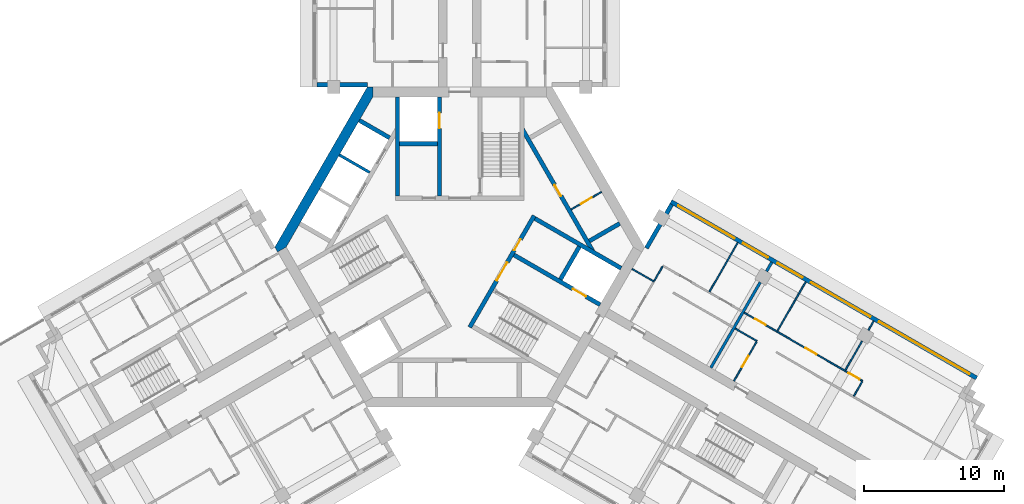
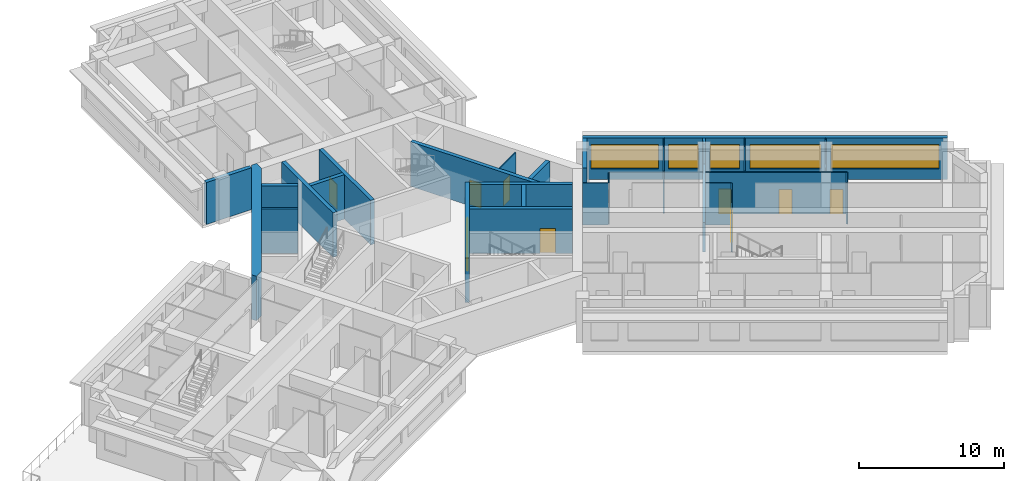
# One storey, part 6 of 11: 28 walls, 10 doors, 5 windows, 15 openings.
"""IFC4 building model written with IfcOpenShell, lengths in metres."""

from ifc_helpers import new_model, si_unit, direction, frame, frame_2d, origin, place, context, subcontext, project, spatial, polyline, rectangle, outline, extrude, material, layer, layer_set, type_object, element, fill, save


model = new_model("IFC4")

# Units and contexts
model_context = context("Model", 3, precision=1e-05, world=origin(), true_north=direction((0.0, 1.0)))
body_context = subcontext(model_context, "Body", "Model", "MODEL_VIEW")
ifc_project = project(units=[si_unit("LENGTHUNIT", "METRE"), si_unit("AREAUNIT", "SQUARE_METRE"), si_unit("VOLUMEUNIT", "CUBIC_METRE"), si_unit("PLANEANGLEUNIT", "RADIAN"), si_unit("MASSUNIT", "GRAM", prefix="KILO")], contexts=[model_context])

# Site, building, storey
site_placement = place(None, origin())
site = spatial("IfcSite", under=ifc_project, at=site_placement, CompositionType="ELEMENT")
building_placement = place(site_placement, origin())
building = spatial("IfcBuilding", under=site, at=building_placement, Name="Impinga Residences", CompositionType="ELEMENT")
storey_placement = place(building_placement, frame((0.0, 0.0, 218.5)))
storey = spatial("IfcBuildingStorey", under=building, at=storey_placement, Name="L54", CompositionType="ELEMENT", Elevation=218.5)

# Wall, opening, door
ifc_material_1 = material(Name="Concrete blockwork", Category="masonry")
ifc_layer_1 = layer(ifc_material_1, 0.10009765625)
ifc_layer_set_1 = layer_set([ifc_layer_1], Name="CP1 core room partition, blockwork 100")
wall_type_1 = type_object("IfcWallType", Name="CP1 core room partition, blockwork 100", PredefinedType="PARTITIONING", material=ifc_layer_set_1)
wall_1_placement = place(storey_placement, frame((7.95361328125, 2.686767578125, 0.0), z_axis=(0.0, 0.0, 1.0), x_axis=(0.866047370643, 0.499961950354, 0.0)))
wall_1 = element("IfcWall", 1, at=wall_1_placement, inside=storey, type_object=wall_type_1, Name="Core room partition, blockwork L54:CORE:mid:ZP1", PredefinedType="PARTITIONING", context=body_context, shape_type="SweptSolid", body=[
    extrude(rectangle(XDim=2.500244140625, YDim=0.10009765625, at=frame_2d((1.25, 0.0))), origin(), (0.0, 0.0, 1.0), 3.530029296875),
])
opening_1_placement = place(wall_1_placement, frame((0.800048828125, 0.0, 0.0)))
opening_1 = element("IfcOpeningElement", 2, at=opening_1_placement, cuts=wall_1, Name="Opening D6", PredefinedType="OPENING", context=body_context, shape_type="SweptSolid", body=[
    extrude(rectangle(XDim=0.89990234375, YDim=2.10009765625, at=frame_2d((0.449951171875, 1.050048828125))), frame((0.0, 0.06005859375, 0.0), z_axis=(0.0, -1.0, 0.0), x_axis=(1.0, 0.0, 0.0)), (0.0, 0.0, 1.0), 0.1201171875),
])
ifc_material_2 = material(Name="Timber door set", Category="wood")
door_type_1 = type_object("IfcDoorType", Name="D6 riser and store door 900x2100", OperationType="SINGLE_SWING_LEFT", PredefinedType="DOOR", material=ifc_material_2)
door_1_placement = place(opening_1_placement, origin())
door_1 = element("IfcDoor", 3, at=door_1_placement, inside=storey, type_object=door_type_1, Name="Linen store door", OperationType="SINGLE_SWING_LEFT", OverallHeight=2.10009765625, OverallWidth=0.89990234375, PredefinedType="DOOR", context=body_context, shape_type="SweptSolid", body=[
    extrude(rectangle(XDim=0.89990234375, YDim=2.10009765625, at=frame_2d((0.449951171875, 1.050048828125))), frame((0.0, 0.02490234375, 0.0), z_axis=(0.0, -1.0, 0.0), x_axis=(1.0, 0.0, 0.0)), (0.0, 0.0, 1.0), 0.050048828125),
])
fill(opening_1, door_1)

# Walls
ifc_material_3 = material(Name="Terracotta rainscreen on blockwork", Category="masonry")
ifc_layer_2 = layer(ifc_material_3, 0.300048828125)
ifc_layer_set_2 = layer_set([ifc_layer_2], Name="EW1 external wall, terracotta rainscreen on blockwork 300")
wall_type_2 = type_object("IfcWallType", Name="EW1 external wall, terracotta rainscreen on blockwork 300", PredefinedType="SOLIDWALL", material=ifc_layer_set_2)
wall_2_placement = place(storey_placement, frame((-6.60009765625, 11.58154296875, 0.0), z_axis=(0.0, 0.0, 1.0), x_axis=(-1.0, 0.0, 0.0)))
element("IfcWall", 4, at=wall_2_placement, inside=storey, type_object=wall_type_2, Name="External wall EW1 L54", PredefinedType="SOLIDWALL", context=body_context, shape_type="SweptSolid", body=[
    extrude(rectangle(XDim=3.599853515625, YDim=0.300048828125, at=frame_2d((1.7998046875, 0.0))), origin(), (0.0, 0.0, 1.0), 3.530029296875),
])
wall_3_placement = place(storey_placement, frame((13.329833984375, -0.074951171875, 0.0), z_axis=(0.0, 0.0, 1.0), x_axis=(0.500012057535, 0.866018442252, 0.0)))
element("IfcWall", 5, at=wall_3_placement, inside=storey, type_object=wall_type_2, Name="External wall EW1 L54", PredefinedType="SOLIDWALL", context=body_context, shape_type="SweptSolid", body=[
    extrude(rectangle(XDim=3.60009765625, YDim=0.300048828125, at=frame_2d((1.800048828125, 0.0))), origin(), (0.0, 0.0, 1.0), 3.530029296875),
])

# Wall, openings, windows
wall_4_placement = place(storey_placement, frame((15.074951171875, 3.24755859375, 0.0), z_axis=(0.0, 0.0, 1.0), x_axis=(0.86602925447, -0.499993330357, 0.0)))
wall_4 = element("IfcWall", 6, at=wall_4_placement, inside=storey, type_object=wall_type_2, Name="External wall EW1 L54", PredefinedType="SOLIDWALL", context=body_context, shape_type="SweptSolid", body=[
    extrude(rectangle(XDim=25.199951171875, YDim=0.300048828125, at=frame_2d((12.60009765625, 0.0))), origin(), (0.0, 0.0, 1.0), 3.530029296875),
])
opening_2_placement = place(wall_4_placement, frame((0.60009765625, 0.0, 0.89990234375)))
opening_2 = element("IfcOpeningElement", 7, at=opening_2_placement, cuts=wall_4, Name="Opening W10", PredefinedType="OPENING", context=body_context, shape_type="SweptSolid", body=[
    extrude(rectangle(XDim=4.64990234375, YDim=2.050048828125, at=frame_2d((2.324951171875, 1.02490234375))), frame((0.0, 0.159912109375, 0.0), z_axis=(0.0, -1.0, 0.0), x_axis=(1.0, 0.0, 0.0)), (0.0, 0.0, 1.0), 0.320068359375),
])
opening_3_placement = place(wall_4_placement, frame((5.949951171875, 0.0, 0.89990234375)))
opening_3 = element("IfcOpeningElement", 8, at=opening_3_placement, cuts=wall_4, Name="Opening W14", PredefinedType="OPENING", context=body_context, shape_type="SweptSolid", body=[
    extrude(rectangle(XDim=2.050048828125, YDim=2.050048828125, at=frame_2d((1.02490234375, 1.02490234375))), frame((0.0, 0.159912109375, 0.0), z_axis=(0.0, -1.0, 0.0), x_axis=(1.0, 0.0, 0.0)), (0.0, 0.0, 1.0), 0.320068359375),
])
opening_4_placement = place(wall_4_placement, frame((8.800048828125, 0.0, 0.89990234375)))
opening_4 = element("IfcOpeningElement", 9, at=opening_4_placement, cuts=wall_4, Name="Opening W14", PredefinedType="OPENING", context=body_context, shape_type="SweptSolid", body=[
    extrude(rectangle(XDim=2.050048828125, YDim=2.050048828125, at=frame_2d((1.02490234375, 1.02490234375))), frame((0.0, 0.159912109375, 0.0), z_axis=(0.0, -1.0, 0.0), x_axis=(1.0, 0.0, 0.0)), (0.0, 0.0, 1.0), 0.320068359375),
])
opening_5_placement = place(wall_4_placement, frame((11.550048828125, 0.0, 0.89990234375)))
opening_5 = element("IfcOpeningElement", 10, at=opening_5_placement, cuts=wall_4, Name="Opening W16", PredefinedType="OPENING", context=body_context, shape_type="SweptSolid", body=[
    extrude(rectangle(XDim=4.89990234375, YDim=2.050048828125, at=frame_2d((2.449951171875, 1.02490234375))), frame((0.0, 0.159912109375, 0.0), z_axis=(0.0, -1.0, 0.0), x_axis=(1.0, 0.0, 0.0)), (0.0, 0.0, 1.0), 0.320068359375),
])
opening_6_placement = place(wall_4_placement, frame((17.14990234375, 0.0, 0.89990234375)))
opening_6 = element("IfcOpeningElement", 11, at=opening_6_placement, cuts=wall_4, Name="Opening W7", PredefinedType="OPENING", context=body_context, shape_type="SweptSolid", body=[
    extrude(rectangle(XDim=7.449951171875, YDim=2.050048828125, at=frame_2d((3.72509765625, 1.02490234375))), frame((0.0, 0.159912109375, 0.0), z_axis=(0.0, -1.0, 0.0), x_axis=(1.0, 0.0, 0.0)), (0.0, 0.0, 1.0), 0.320068359375),
])
ifc_material_4 = material(Name="Aluminium window, clear double glazing", Category="aluminium")
window_type_1 = type_object("IfcWindowType", Name="W10 ribbon window 4650x2050", PartitioningType="SINGLE_PANEL", PredefinedType="WINDOW", material=ifc_material_4)
window_1_placement = place(opening_2_placement, origin())
window_1 = element("IfcWindow", 12, at=window_1_placement, inside=storey, type_object=window_type_1, Name="Window L54", OverallHeight=2.050048828125, OverallWidth=4.64990234375, PartitioningType="SINGLE_PANEL", PredefinedType="WINDOW", context=body_context, shape_type="SweptSolid", body=[
    extrude(rectangle(XDim=4.64990234375, YDim=2.050048828125, at=frame_2d((2.324951171875, 1.02490234375))), frame((0.0, 0.030029296875, 0.0), z_axis=(0.0, -1.0, 0.0), x_axis=(1.0, 0.0, 0.0)), (0.0, 0.0, 1.0), 0.06005859375),
])
fill(opening_2, window_1)
window_type_2 = type_object("IfcWindowType", Name="W14 ribbon window 2050x2050", PartitioningType="SINGLE_PANEL", PredefinedType="WINDOW", material=ifc_material_4)
window_2_placement = place(opening_3_placement, origin())
window_2 = element("IfcWindow", 13, at=window_2_placement, inside=storey, type_object=window_type_2, Name="Window L54", OverallHeight=2.050048828125, OverallWidth=2.050048828125, PartitioningType="SINGLE_PANEL", PredefinedType="WINDOW", context=body_context, shape_type="SweptSolid", body=[
    extrude(rectangle(XDim=2.050048828125, YDim=2.050048828125, at=frame_2d((1.02490234375, 1.02490234375))), frame((0.0, 0.030029296875, 0.0), z_axis=(0.0, -1.0, 0.0), x_axis=(1.0, 0.0, 0.0)), (0.0, 0.0, 1.0), 0.06005859375),
])
fill(opening_3, window_2)
window_3_placement = place(opening_4_placement, origin())
window_3 = element("IfcWindow", 14, at=window_3_placement, inside=storey, type_object=window_type_2, Name="Window L54", OverallHeight=2.050048828125, OverallWidth=2.050048828125, PartitioningType="SINGLE_PANEL", PredefinedType="WINDOW", context=body_context, shape_type="SweptSolid", body=[
    extrude(rectangle(XDim=2.050048828125, YDim=2.050048828125, at=frame_2d((1.02490234375, 1.02490234375))), frame((0.0, 0.030029296875, 0.0), z_axis=(0.0, -1.0, 0.0), x_axis=(1.0, 0.0, 0.0)), (0.0, 0.0, 1.0), 0.06005859375),
])
fill(opening_4, window_3)
window_type_3 = type_object("IfcWindowType", Name="W16 ribbon window 4900x2050", PartitioningType="SINGLE_PANEL", PredefinedType="WINDOW", material=ifc_material_4)
window_4_placement = place(opening_5_placement, origin())
window_4 = element("IfcWindow", 15, at=window_4_placement, inside=storey, type_object=window_type_3, Name="Window L54", OverallHeight=2.050048828125, OverallWidth=4.89990234375, PartitioningType="SINGLE_PANEL", PredefinedType="WINDOW", context=body_context, shape_type="SweptSolid", body=[
    extrude(rectangle(XDim=4.89990234375, YDim=2.050048828125, at=frame_2d((2.449951171875, 1.02490234375))), frame((0.0, 0.030029296875, 0.0), z_axis=(0.0, -1.0, 0.0), x_axis=(1.0, 0.0, 0.0)), (0.0, 0.0, 1.0), 0.06005859375),
])
fill(opening_5, window_4)
window_type_4 = type_object("IfcWindowType", Name="W7 ribbon window 7450x2050", PartitioningType="SINGLE_PANEL", PredefinedType="WINDOW", material=ifc_material_4)
window_5_placement = place(opening_6_placement, origin())
window_5 = element("IfcWindow", 16, at=window_5_placement, inside=storey, type_object=window_type_4, Name="Window L54", OverallHeight=2.050048828125, OverallWidth=7.449951171875, PartitioningType="SINGLE_PANEL", PredefinedType="WINDOW", context=body_context, shape_type="SweptSolid", body=[
    extrude(rectangle(XDim=7.449951171875, YDim=2.050048828125, at=frame_2d((3.72509765625, 1.02490234375))), frame((0.0, 0.030029296875, 0.0), z_axis=(0.0, -1.0, 0.0), x_axis=(1.0, 0.0, 0.0)), (0.0, 0.0, 1.0), 0.06005859375),
])
fill(opening_6, window_5)

# Walls
ifc_material_5 = material(Name="Gypsum board on steel studs", Category="steel")
ifc_layer_3 = layer(ifc_material_5, 0.10009765625)
ifc_layer_set_3 = layer_set([ifc_layer_3], Name="Gypsum board on steel studs")
wall_type_3 = type_object("IfcWallType", Name="IP1 partition 100", PredefinedType="PARTITIONING", material=ifc_layer_set_3)
wall_5_placement = place(storey_placement, frame((12.300048828125, -1.558837890625, 0.0), z_axis=(0.0, 0.0, 1.0), x_axis=(0.866047807691, -0.499961193289, 0.0)))
element("IfcWall", 17, at=wall_5_placement, inside=storey, type_object=wall_type_3, Name="Partition L54-EA1:DIV0", PredefinedType="PARTITIONING", context=body_context, shape_type="SweptSolid", body=[
    extrude(rectangle(XDim=1.800048828125, YDim=0.10009765625, at=frame_2d((0.89990234375, 0.0))), origin(), (0.0, 0.0, 1.0), 3.530029296875),
])
wall_6_placement = place(storey_placement, frame((13.8837890625, -2.41552734375, 0.0), z_axis=(0.0, 0.0, 1.0), x_axis=(0.500033551112, 0.866006032174, 0.0)))
element("IfcWall", 18, at=wall_6_placement, inside=storey, type_object=wall_type_3, Name="Partition L54-EA1:SE0", PredefinedType="PARTITIONING", context=body_context, shape_type="SweptSolid", body=[
    extrude(rectangle(XDim=1.2001953125, YDim=0.10009765625, at=frame_2d((0.60009765625, 0.0))), origin(), (0.0, 0.0, 1.0), 3.530029296875),
])
wall_7_placement = place(storey_placement, frame((17.82470703125, -3.189697265625, 0.0), z_axis=(0.0, 0.0, 1.0), x_axis=(0.500035537042, 0.866004885491, 0.0)))
element("IfcWall", 19, at=wall_7_placement, inside=storey, type_object=wall_type_3, Name="Partition L54-EA1:OB1", PredefinedType="PARTITIONING", context=body_context, shape_type="SweptSolid", body=[
    extrude(rectangle(XDim=4.050048828125, YDim=0.10009765625, at=frame_2d((2.02490234375, 0.0))), origin(), (0.0, 0.0, 1.0), 3.530029296875),
])
wall_8_placement = place(storey_placement, frame((19.6611328125, -5.808837890625, 0.0), z_axis=(0.0, 0.0, 1.0), x_axis=(0.866047807691, -0.499961193289, 0.0)))
element("IfcWall", 20, at=wall_8_placement, inside=storey, type_object=wall_type_3, Name="Partition L54-EA2:DIV0", PredefinedType="PARTITIONING", context=body_context, shape_type="SweptSolid", body=[
    extrude(rectangle(XDim=1.800048828125, YDim=0.10009765625, at=frame_2d((0.89990234375, 0.0))), origin(), (0.0, 0.0, 1.0), 3.530029296875),
])

# Wall, openings, doors
wall_9_placement = place(storey_placement, frame((20.311279296875, -4.68310546875, 0.0), z_axis=(0.0, 0.0, 1.0), x_axis=(0.866021707014, -0.500006402939, 0.0)))
wall_9 = element("IfcWall", 21, at=wall_9_placement, inside=storey, type_object=wall_type_3, Name="Partition L54-EA2:STRIP", PredefinedType="PARTITIONING", context=body_context, shape_type="SweptSolid", body=[
    extrude(rectangle(XDim=9.749755859375, YDim=0.10009765625, at=frame_2d((4.875, 0.0))), origin(), (0.0, 0.0, 1.0), 3.530029296875),
])
opening_7_placement = place(wall_9_placement, frame((0.875, 0.0, 0.0)))
opening_7 = element("IfcOpeningElement", 22, at=opening_7_placement, cuts=wall_9, Name="Opening D2", PredefinedType="OPENING", context=body_context, shape_type="SweptSolid", body=[
    extrude(rectangle(XDim=0.89990234375, YDim=2.10009765625, at=frame_2d((0.449951171875, 1.050048828125))), frame((0.0, 0.06005859375, 0.0), z_axis=(0.0, -1.0, 0.0), x_axis=(1.0, 0.0, 0.0)), (0.0, 0.0, 1.0), 0.1201171875),
])
opening_8_placement = place(wall_9_placement, frame((5.050048828125, 0.0, 0.0)))
opening_8 = element("IfcOpeningElement", 23, at=opening_8_placement, cuts=wall_9, Name="Opening D2", PredefinedType="OPENING", context=body_context, shape_type="SweptSolid", body=[
    extrude(rectangle(XDim=0.89990234375, YDim=2.10009765625, at=frame_2d((0.449951171875, 1.050048828125))), frame((0.0, 0.06005859375, 0.0), z_axis=(0.0, -1.0, 0.0), x_axis=(1.0, 0.0, 0.0)), (0.0, 0.0, 1.0), 0.1201171875),
])
opening_9_placement = place(wall_9_placement, frame((8.60009765625, 0.0, 0.0)))
opening_9 = element("IfcOpeningElement", 24, at=opening_9_placement, cuts=wall_9, Name="Opening D2", PredefinedType="OPENING", context=body_context, shape_type="SweptSolid", body=[
    extrude(rectangle(XDim=0.89990234375, YDim=2.10009765625, at=frame_2d((0.449951171875, 1.050048828125))), frame((0.0, 0.06005859375, 0.0), z_axis=(0.0, -1.0, 0.0), x_axis=(1.0, 0.0, 0.0)), (0.0, 0.0, 1.0), 0.1201171875),
])
door_type_2 = type_object("IfcDoorType", Name="D2 internal door 900x2100", OperationType="SINGLE_SWING_LEFT", PredefinedType="DOOR", material=ifc_material_2)
door_2_placement = place(opening_7_placement, origin())
door_2 = element("IfcDoor", 25, at=door_2_placement, inside=storey, type_object=door_type_2, Name="Apartment L54-EA2 room door", OperationType="SINGLE_SWING_LEFT", OverallHeight=2.10009765625, OverallWidth=0.89990234375, PredefinedType="DOOR", context=body_context, shape_type="SweptSolid", body=[
    extrude(rectangle(XDim=0.89990234375, YDim=2.10009765625, at=frame_2d((0.449951171875, 1.050048828125))), frame((0.0, 0.02490234375, 0.0), z_axis=(0.0, -1.0, 0.0), x_axis=(1.0, 0.0, 0.0)), (0.0, 0.0, 1.0), 0.050048828125),
])
fill(opening_7, door_2)
door_3_placement = place(opening_8_placement, origin())
door_3 = element("IfcDoor", 26, at=door_3_placement, inside=storey, type_object=door_type_2, Name="Apartment L54-EA2 room door", OperationType="SINGLE_SWING_RIGHT", OverallHeight=2.10009765625, OverallWidth=0.89990234375, PredefinedType="DOOR", context=body_context, shape_type="SweptSolid", body=[
    extrude(rectangle(XDim=0.89990234375, YDim=2.10009765625, at=frame_2d((0.449951171875, 1.050048828125))), frame((0.0, 0.02490234375, 0.0), z_axis=(0.0, -1.0, 0.0), x_axis=(1.0, 0.0, 0.0)), (0.0, 0.0, 1.0), 0.050048828125),
])
fill(opening_8, door_3)
door_4_placement = place(opening_9_placement, origin())
door_4 = element("IfcDoor", 27, at=door_4_placement, inside=storey, type_object=door_type_2, Name="Apartment L54-EA2 room door", OperationType="SINGLE_SWING_RIGHT", OverallHeight=2.10009765625, OverallWidth=0.89990234375, PredefinedType="DOOR", context=body_context, shape_type="SweptSolid", body=[
    extrude(rectangle(XDim=0.89990234375, YDim=2.10009765625, at=frame_2d((0.449951171875, 1.050048828125))), frame((0.0, 0.02490234375, 0.0), z_axis=(0.0, -1.0, 0.0), x_axis=(1.0, 0.0, 0.0)), (0.0, 0.0, 1.0), 0.050048828125),
])
fill(opening_9, door_4)

# Wall
wall_10_placement = place(storey_placement, frame((28.1298828125, -10.640625, 0.0), z_axis=(0.0, 0.0, 1.0), x_axis=(0.500033551112, 0.866006032174, 0.0)))
element("IfcWall", 28, at=wall_10_placement, inside=storey, type_object=wall_type_3, Name="Partition L54-EA2:SE1", PredefinedType="PARTITIONING", context=body_context, shape_type="SweptSolid", body=[
    extrude(rectangle(XDim=1.2001953125, YDim=0.10009765625, at=frame_2d((0.60009765625, 0.0))), origin(), (0.0, 0.0, 1.0), 3.530029296875),
])

# Wall, opening, door
wall_11_placement = place(storey_placement, frame((19.570068359375, -9.566650390625, 0.0), z_axis=(0.0, 0.0, 1.0), x_axis=(0.500017246033, 0.866015446554, 0.0)))
wall_11 = element("IfcWall", 29, at=wall_11_placement, inside=storey, type_object=wall_type_3, Name="Partition L54-EA2:IB1", PredefinedType="PARTITIONING", context=body_context, shape_type="SweptSolid", body=[
    extrude(rectangle(XDim=3.25, YDim=0.10009765625, at=frame_2d((1.625, 0.0))), origin(), (0.0, 0.0, 1.0), 3.530029296875),
])
opening_10_placement = place(wall_11_placement, frame((1.175048828125, 0.0, 0.0)))
opening_10 = element("IfcOpeningElement", 30, at=opening_10_placement, cuts=wall_11, Name="Opening D2", PredefinedType="OPENING", context=body_context, shape_type="SweptSolid", body=[
    extrude(rectangle(XDim=0.89990234375, YDim=2.10009765625, at=frame_2d((0.449951171875, 1.050048828125))), frame((0.0, 0.06005859375, 0.0), z_axis=(0.0, -1.0, 0.0), x_axis=(1.0, 0.0, 0.0)), (0.0, 0.0, 1.0), 0.1201171875),
])
door_5_placement = place(opening_10_placement, origin())
door_5 = element("IfcDoor", 31, at=door_5_placement, inside=storey, type_object=door_type_2, Name="Apartment L54-EA2 bathroom door", OperationType="SINGLE_SWING_LEFT", OverallHeight=2.10009765625, OverallWidth=0.89990234375, PredefinedType="DOOR", context=body_context, shape_type="SweptSolid", body=[
    extrude(rectangle(XDim=0.89990234375, YDim=2.10009765625, at=frame_2d((0.449951171875, 1.050048828125))), frame((0.0, 0.02490234375, 0.0), z_axis=(0.0, -1.0, 0.0), x_axis=(1.0, 0.0, 0.0)), (0.0, 0.0, 1.0), 0.050048828125),
])
fill(opening_10, door_5)

# Walls
wall_12_placement = place(storey_placement, frame((22.674560546875, -5.98974609375, 0.0), z_axis=(0.0, 0.0, 1.0), x_axis=(0.499990325971, 0.866030989016, 0.0)))
element("IfcWall", 32, at=wall_12_placement, inside=storey, type_object=wall_type_3, Name="Partition L54-EA2:OB1", PredefinedType="PARTITIONING", context=body_context, shape_type="SweptSolid", body=[
    extrude(rectangle(XDim=4.0498046875, YDim=0.10009765625, at=frame_2d((2.02490234375, 0.0))), origin(), (0.0, 0.0, 1.0), 3.530029296875),
])
wall_13_placement = place(storey_placement, frame((27.524169921875, -8.789794921875, 0.0), z_axis=(0.0, 0.0, 1.0), x_axis=(0.499957262057, 0.866050077142, 0.0)))
element("IfcWall", 33, at=wall_13_placement, inside=storey, type_object=wall_type_3, Name="Partition L54-EA2:OB2", PredefinedType="PARTITIONING", context=body_context, shape_type="SweptSolid", body=[
    extrude(rectangle(XDim=2.400146484375, YDim=0.10009765625, at=frame_2d((1.2001953125, 0.0))), origin(), (0.0, 0.0, 1.0), 2.47998046875),
])
wall_14_placement = place(storey_placement, frame((29.17431640625, -5.931884765625, 0.0), z_axis=(0.0, 0.0, 1.0), x_axis=(0.499919672301, 0.866071776036, 0.0)))
element("IfcWall", 34, at=wall_14_placement, inside=storey, type_object=wall_type_3, Name="Partition L54-EA2:OB2b", PredefinedType="PARTITIONING", context=body_context, shape_type="SweptSolid", body=[
    extrude(rectangle(XDim=0.75, YDim=0.10009765625, at=frame_2d((0.375, 0.0))), origin(), (0.0, 0.0, 1.0), 3.530029296875),
])
ifc_layer_4 = layer(ifc_material_1, 0.199951171875)
ifc_layer_set_4 = layer_set([ifc_layer_4], Name="PW1 party wall between apartments 200")
wall_type_4 = type_object("IfcWallType", Name="PW1 party wall between apartments 200", PredefinedType="SOLIDWALL", material=ifc_layer_set_4)
wall_15_placement = place(storey_placement, frame((17.924560546875, -8.61669921875, 0.0), z_axis=(0.0, 0.0, 1.0), x_axis=(0.500016218704, 0.866016039709, 0.0)))
element("IfcWall", 35, at=wall_15_placement, inside=storey, type_object=wall_type_4, Name="Party wall between apartments L54-EA1:PARTY", PredefinedType="SOLIDWALL", context=body_context, shape_type="SweptSolid", body=[
    extrude(rectangle(XDim=7.050048828125, YDim=0.199951171875, at=frame_2d((3.52490234375, 0.0))), origin(), (0.0, 0.0, 1.0), 2.47998046875),
])
wall_16_placement = place(storey_placement, frame((21.899658203125, -1.73193359375, 0.0), z_axis=(0.0, 0.0, 1.0), x_axis=(0.499919672301, 0.866071776036, 0.0)))
element("IfcWall", 36, at=wall_16_placement, inside=storey, type_object=wall_type_4, Name="Party wall between apartments L54-EA1:PARTYb", PredefinedType="SOLIDWALL", context=body_context, shape_type="SweptSolid", body=[
    extrude(rectangle(XDim=0.75, YDim=0.199951171875, at=frame_2d((0.375, 0.0))), origin(), (0.0, 0.0, 1.0), 3.530029296875),
])
ifc_material_6 = material(Name="Concrete C60/75", Category="concrete")
ifc_layer_5 = layer(ifc_material_6, 0.699951171875)
ifc_layer_set_5 = layer_set([ifc_layer_5], Name="Concrete C60/75")
wall_type_5 = type_object("IfcWallType", Name="SW3 core wall 700", PredefinedType="SHEAR", material=ifc_layer_set_5)
wall_17_placement = place(storey_placement, origin())
element("IfcWall", 37, at=wall_17_placement, inside=storey, type_object=wall_type_5, Name="Core wall SW3 E:EXPOSED L54", PredefinedType="SHEAR", context=body_context, shape_type="SweptSolid", body=[
    extrude(outline(polyline([(-6.60009765625, 11.431640625), (-13.199951171875, 0.0), (-12.998046875, -0.35009765625), (-12.3916015625, 0.0), (-6.19580078125, 10.7314453125), (-6.19580078125, 11.431640625), (-6.60009765625, 11.431640625)])), origin(), (0.0, 0.0, 1.0), 3.75),
])

# Wall, opening, door
ifc_material_7 = material(Name="Concrete C70/85", Category="concrete")
ifc_layer_6 = layer(ifc_material_7, 0.300048828125)
ifc_layer_set_6 = layer_set([ifc_layer_6], Name="Concrete C70/85")
wall_type_6 = type_object("IfcWallType", Name="SW5 core inner wall, stairs, shafts and lobbies 300", PredefinedType="SHEAR", material=ifc_layer_set_6)
wall_18_placement = place(storey_placement, frame((-1.449951171875, 3.6298828125, 0.0), z_axis=(0.0, 0.0, 1.0), x_axis=(0.0, 1.0, 0.0)))
wall_18 = element("IfcWall", 38, at=wall_18_placement, inside=storey, type_object=wall_type_6, Name="Core wall SW5 N:FF-IN L54", PredefinedType="SHEAR", context=body_context, shape_type="SweptSolid", body=[
    extrude(rectangle(XDim=7.1015625, YDim=0.300048828125, at=frame_2d((3.55078125, 0.0))), origin(), (0.0, 0.0, 1.0), 3.75),
])
opening_11_placement = place(wall_18_placement, frame((4.85009765625, 0.0, 0.0)))
opening_11 = element("IfcOpeningElement", 39, at=opening_11_placement, cuts=wall_18, Name="Opening LD2", PredefinedType="OPENING", context=body_context, shape_type="SweptSolid", body=[
    extrude(rectangle(XDim=1.10009765625, YDim=2.10009765625, at=frame_2d((0.550048828125, 1.050048828125))), frame((0.0, 0.159912109375, 0.0), z_axis=(0.0, -1.0, 0.0), x_axis=(1.0, 0.0, 0.0)), (0.0, 0.0, 1.0), 0.320068359375),
])
ifc_material_8 = material(Name="Steel lift landing door", Category="steel")
door_type_3 = type_object("IfcDoorType", Name="LD2 firefighting lift landing door 1100x2100", OperationType="DOUBLE_DOOR_SLIDING", PredefinedType="DOOR", material=ifc_material_8)
door_6_placement = place(opening_11_placement, origin())
door_6 = element("IfcDoor", 40, at=door_6_placement, inside=storey, type_object=door_type_3, Name="Firefighting lift landing door F1", OperationType="DOUBLE_DOOR_SLIDING", OverallHeight=2.10009765625, OverallWidth=1.10009765625, PredefinedType="DOOR", context=body_context, shape_type="SweptSolid", body=[
    extrude(rectangle(XDim=1.10009765625, YDim=2.10009765625, at=frame_2d((0.550048828125, 1.050048828125))), frame((0.0, 0.02490234375, 0.0), z_axis=(0.0, -1.0, 0.0), x_axis=(1.0, 0.0, 0.0)), (0.0, 0.0, 1.0), 0.050048828125),
])
fill(opening_11, door_6)

# Walls
wall_19_placement = place(storey_placement, frame((-4.449951171875, 3.6298828125, 0.0), z_axis=(0.0, 0.0, 1.0), x_axis=(0.0, 1.0, 0.0)))
element("IfcWall", 41, at=wall_19_placement, inside=storey, type_object=wall_type_6, Name="Core wall SW5 N:FF-OUT L54", PredefinedType="SHEAR", context=body_context, shape_type="SweptSolid", body=[
    extrude(rectangle(XDim=7.1015625, YDim=0.300048828125, at=frame_2d((3.55078125, 0.0))), origin(), (0.0, 0.0, 1.0), 3.75),
])
wall_20_placement = place(storey_placement, frame((-4.300048828125, 7.3798828125, 0.0), z_axis=(0.0, 0.0, 1.0), x_axis=(1.0, 0.0, 0.0)))
element("IfcWall", 42, at=wall_20_placement, inside=storey, type_object=wall_type_6, Name="Core wall SW5 N:FF-RS L54", PredefinedType="SHEAR", context=body_context, shape_type="SweptSolid", body=[
    extrude(rectangle(XDim=2.699951171875, YDim=0.300048828125, at=frame_2d((1.35009765625, 0.0))), origin(), (0.0, 0.0, 1.0), 3.75),
])

# Wall, openings, doors
wall_21_placement = place(storey_placement, frame((5.313720703125, 2.24365234375, 0.0), z_axis=(0.0, 0.0, 1.0), x_axis=(-0.499995050369, -0.866028261437, 0.0)))
wall_21 = element("IfcWall", 43, at=wall_21_placement, inside=storey, type_object=wall_type_6, Name="Core wall SW5 E:ZONE L54", PredefinedType="SHEAR", context=body_context, shape_type="SweptSolid", body=[
    extrude(rectangle(XDim=9.19970703125, YDim=0.300048828125, at=frame_2d((4.599853515625, 0.0))), origin(), (0.0, 0.0, 1.0), 3.75),
])
opening_12_placement = place(wall_21_placement, frame((3.85009765625, 0.0, 0.0)))
opening_12 = element("IfcOpeningElement", 44, at=opening_12_placement, cuts=wall_21, Name="Opening D4", PredefinedType="OPENING", context=body_context, shape_type="SweptSolid", body=[
    extrude(rectangle(XDim=1.5, YDim=2.10009765625, at=frame_2d((0.75, 1.050048828125))), frame((0.0, 0.159912109375, 0.0), z_axis=(0.0, -1.0, 0.0), x_axis=(1.0, 0.0, 0.0)), (0.0, 0.0, 1.0), 0.320068359375),
])
opening_13_placement = place(wall_21_placement, frame((1.949951171875, 0.0, 0.0)))
opening_13 = element("IfcOpeningElement", 45, at=opening_13_placement, cuts=wall_21, Name="Opening D6", PredefinedType="OPENING", context=body_context, shape_type="SweptSolid", body=[
    extrude(rectangle(XDim=0.89990234375, YDim=2.10009765625, at=frame_2d((0.449951171875, 1.050048828125))), frame((0.0, 0.159912109375, 0.0), z_axis=(0.0, -1.0, 0.0), x_axis=(1.0, 0.0, 0.0)), (0.0, 0.0, 1.0), 0.320068359375),
])
door_type_4 = type_object("IfcDoorType", Name="D4 lobby door pair 1500x2100", OperationType="DOUBLE_DOOR_DOUBLE_SWING", PredefinedType="DOOR", material=ifc_material_2)
door_7_placement = place(opening_12_placement, origin())
door_7 = element("IfcDoor", 46, at=door_7_placement, inside=storey, type_object=door_type_4, Name="Firefighting lobby door E", OperationType="DOUBLE_DOOR_DOUBLE_SWING", OverallHeight=2.10009765625, OverallWidth=1.5, PredefinedType="DOOR", context=body_context, shape_type="SweptSolid", body=[
    extrude(rectangle(XDim=1.5, YDim=2.10009765625, at=frame_2d((0.75, 1.050048828125))), frame((0.0, 0.02490234375, 0.0), z_axis=(0.0, -1.0, 0.0), x_axis=(1.0, 0.0, 0.0)), (0.0, 0.0, 1.0), 0.050048828125),
])
fill(opening_12, door_7)
door_8_placement = place(opening_13_placement, origin())
door_8 = element("IfcDoor", 47, at=door_8_placement, inside=storey, type_object=door_type_1, Name="Riser door E", OperationType="SINGLE_SWING_LEFT", OverallHeight=2.10009765625, OverallWidth=0.89990234375, PredefinedType="DOOR", context=body_context, shape_type="SweptSolid", body=[
    extrude(rectangle(XDim=0.89990234375, YDim=2.10009765625, at=frame_2d((0.449951171875, 1.050048828125))), frame((0.0, 0.02490234375, 0.0), z_axis=(0.0, -1.0, 0.0), x_axis=(1.0, 0.0, 0.0)), (0.0, 0.0, 1.0), 0.050048828125),
])
fill(opening_13, door_8)

# Wall, opening, door
wall_22_placement = place(storey_placement, frame((3.86865234375, -0.559326171875, 0.0), z_axis=(0.0, 0.0, 1.0), x_axis=(0.866025859768, -0.499999210213, 0.0)))
wall_22 = element("IfcWall", 48, at=wall_22_placement, inside=storey, type_object=wall_type_6, Name="Core wall SW5 E:FF-IN L54", PredefinedType="SHEAR", context=body_context, shape_type="SweptSolid", body=[
    extrude(rectangle(XDim=7.1015625, YDim=0.300048828125, at=frame_2d((3.55078125, 0.0))), origin(), (0.0, 0.0, 1.0), 3.75),
])
opening_14_placement = place(wall_22_placement, frame((4.85009765625, 0.0, 0.0)))
opening_14 = element("IfcOpeningElement", 49, at=opening_14_placement, cuts=wall_22, Name="Opening LD2", PredefinedType="OPENING", context=body_context, shape_type="SweptSolid", body=[
    extrude(rectangle(XDim=1.10009765625, YDim=2.10009765625, at=frame_2d((0.550048828125, 1.050048828125))), frame((0.0, 0.159912109375, 0.0), z_axis=(0.0, -1.0, 0.0), x_axis=(1.0, 0.0, 0.0)), (0.0, 0.0, 1.0), 0.320068359375),
])
door_9_placement = place(opening_14_placement, origin())
door_9 = element("IfcDoor", 50, at=door_9_placement, inside=storey, type_object=door_type_3, Name="Firefighting lift landing door F3", OperationType="DOUBLE_DOOR_SLIDING", OverallHeight=2.10009765625, OverallWidth=1.10009765625, PredefinedType="DOOR", context=body_context, shape_type="SweptSolid", body=[
    extrude(rectangle(XDim=1.10009765625, YDim=2.10009765625, at=frame_2d((0.550048828125, 1.050048828125))), frame((0.0, 0.02490234375, 0.0), z_axis=(0.0, -1.0, 0.0), x_axis=(1.0, 0.0, 0.0)), (0.0, 0.0, 1.0), 0.050048828125),
])
fill(opening_14, door_9)

# Walls
wall_23_placement = place(storey_placement, frame((5.36865234375, 2.038818359375, 0.0), z_axis=(0.0, 0.0, 1.0), x_axis=(0.866025859768, -0.499999210213, 0.0)))
element("IfcWall", 51, at=wall_23_placement, inside=storey, type_object=wall_type_6, Name="Core wall SW5 E:FF-OUT L54", PredefinedType="SHEAR", context=body_context, shape_type="SweptSolid", body=[
    extrude(rectangle(XDim=7.1015625, YDim=0.300048828125, at=frame_2d((3.55078125, 0.0))), origin(), (0.0, 0.0, 1.0), 3.75),
])
wall_24_placement = place(storey_placement, frame((8.541259765625, 0.033935546875, 0.0), z_axis=(0.0, 0.0, 1.0), x_axis=(-0.50000943426, -0.866019956843, 0.0)))
element("IfcWall", 52, at=wall_24_placement, inside=storey, type_object=wall_type_6, Name="Core wall SW5 E:FF-RS L54", PredefinedType="SHEAR", context=body_context, shape_type="SweptSolid", body=[
    extrude(rectangle(XDim=2.7001953125, YDim=0.300048828125, at=frame_2d((1.35009765625, 0.0))), origin(), (0.0, 0.0, 1.0), 3.75),
])

# Wall, opening, door
wall_25_placement = place(storey_placement, frame((4.449951171875, 8.455322265625, 0.0), z_axis=(0.0, 0.0, 1.0), x_axis=(0.500002290144, -0.866024081565, 0.0)))
wall_25 = element("IfcWall", 53, at=wall_25_placement, inside=storey, type_object=wall_type_6, Name="Core wall SW5 W:BANK-FRONT L54", PredefinedType="SHEAR", context=body_context, shape_type="SweptSolid", body=[
    extrude(rectangle(XDim=10.1953125, YDim=0.300048828125, at=frame_2d((5.09765625, 0.0))), origin(), (0.0, 0.0, 1.0), 3.75),
])
opening_15_placement = place(wall_25_placement, frame((4.647705078125, 0.0, 0.0)))
opening_15 = element("IfcOpeningElement", 54, at=opening_15_placement, cuts=wall_25, Name="Opening D6", PredefinedType="OPENING", context=body_context, shape_type="SweptSolid", body=[
    extrude(rectangle(XDim=0.89990234375, YDim=2.10009765625, at=frame_2d((0.449951171875, 1.050048828125))), frame((0.0, 0.159912109375, 0.0), z_axis=(0.0, -1.0, 0.0), x_axis=(1.0, 0.0, 0.0)), (0.0, 0.0, 1.0), 0.320068359375),
])
door_10_placement = place(opening_15_placement, origin())
door_10 = element("IfcDoor", 55, at=door_10_placement, inside=storey, type_object=door_type_1, Name="Housekeeping store door", OperationType="SINGLE_SWING_RIGHT", OverallHeight=2.10009765625, OverallWidth=0.89990234375, PredefinedType="DOOR", context=body_context, shape_type="SweptSolid", body=[
    extrude(rectangle(XDim=0.89990234375, YDim=2.10009765625, at=frame_2d((0.449951171875, 1.050048828125))), frame((0.0, 0.02490234375, 0.0), z_axis=(0.0, -1.0, 0.0), x_axis=(1.0, 0.0, 0.0)), (0.0, 0.0, 1.0), 0.050048828125),
])
fill(opening_15, door_10)

# Walls
for number, where, z_axis, x_axis, name in (
    (56, (9.253662109375, 0.43505859375, 0.0), (0.0, 0.0, 1.0), (0.866022959057, 0.500004234368, 0.0), "Core wall SW5 W:BANK-R L54"),
    (57, (-5.003662109375, 7.79638671875, 0.0), (0.0, 0.0, 1.0), (-0.866022959057, 0.500004234368, 0.0), "Core wall SW5 E:BANK-R L54"),
):
    element("IfcWall", number, at=place(storey_placement, frame(where, z_axis=z_axis, x_axis=x_axis)), inside=storey, type_object=wall_type_6, Name=name, PredefinedType="SHEAR", context=body_context, shape_type="SweptSolid", body=[
        extrude(rectangle(XDim=2.5, YDim=0.300048828125, at=frame_2d((1.25, 0.0))), origin(), (0.0, 0.0, 1.0), 3.75),
    ])
ifc_layer_7 = layer(ifc_material_7, 0.199951171875)
ifc_layer_set_7 = layer_set([ifc_layer_7], Name="Concrete C70/85")
wall_type_7 = type_object("IfcWallType", Name="SW6 lift shaft divider wall 200", PredefinedType="SHEAR", material=ifc_layer_set_7)
wall_26_placement = place(storey_placement, frame((-6.4287109375, 5.328125, 0.0), z_axis=(0.0, 0.0, 1.0), x_axis=(-0.866022959057, 0.500004234368, 0.0)))
element("IfcWall", 58, at=wall_26_placement, inside=storey, type_object=wall_type_7, Name="Core wall SW6 E:BANK-D2 L54", PredefinedType="SHEAR", context=body_context, shape_type="SweptSolid", body=[
    extrude(rectangle(XDim=2.5, YDim=0.199951171875, at=frame_2d((1.25, 0.0))), origin(), (0.0, 0.0, 1.0), 3.75),
])

save(model, "model.ifc")
